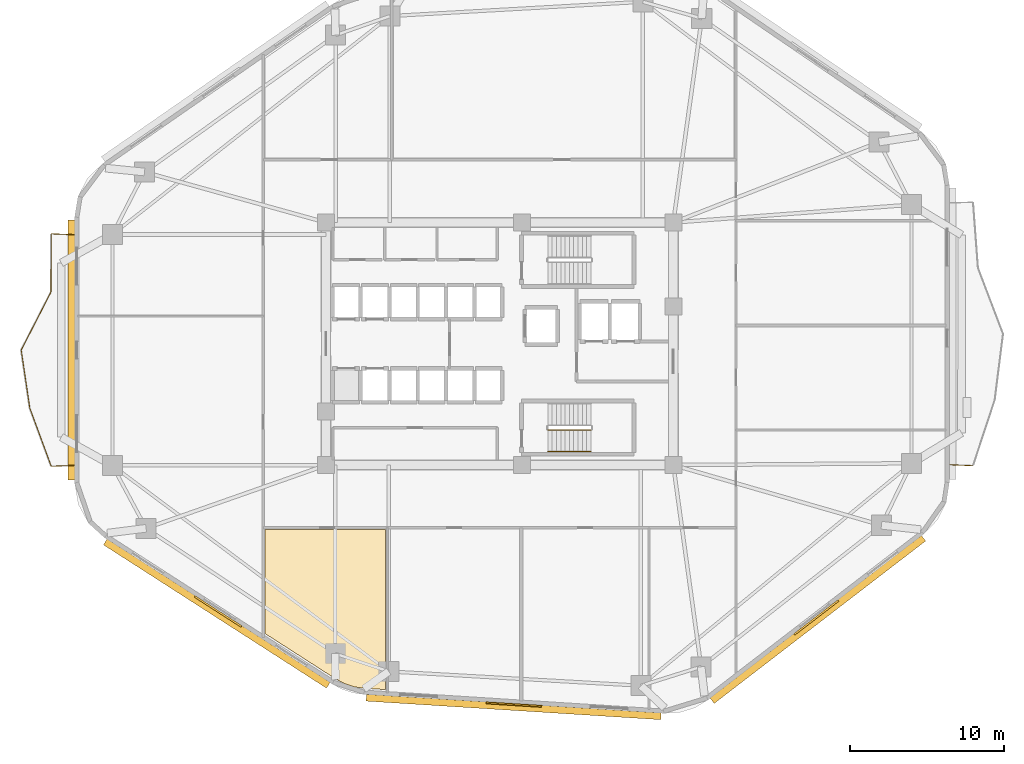
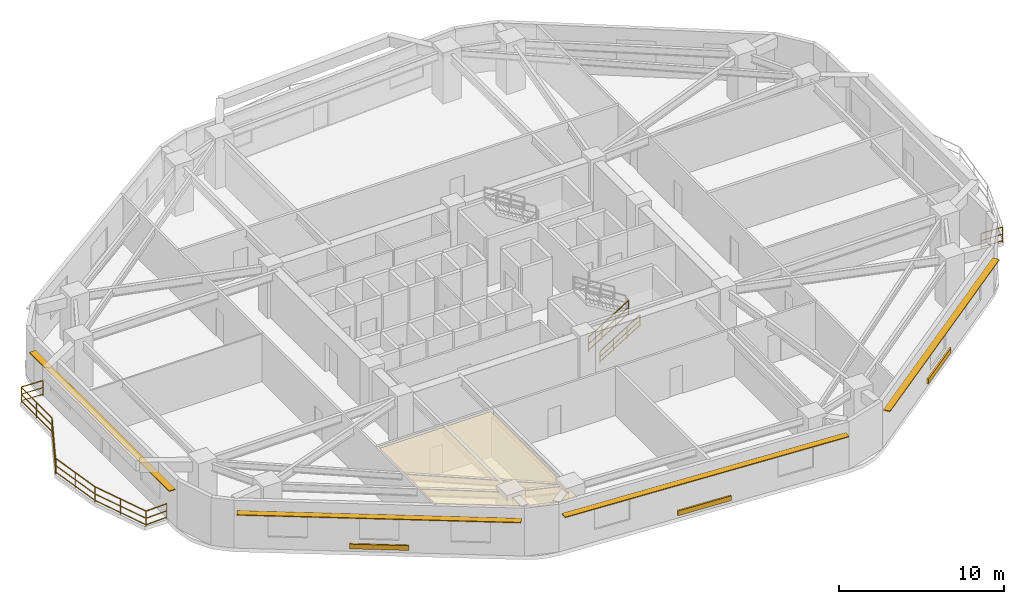
# One storey, part 7 of 10: 9 railings, 7 shading devices, 1 covering.
"""IFC4 building model written with IfcOpenShell, lengths in metres."""

from ifc_helpers import new_model, si_unit, direction, frame, origin, origin_2d, place, context, subcontext, project, spatial, polyline, rectangle, outline, extrude, material, layer, layer_set, type_object, element, save


model = new_model("IFC4")

# Units and contexts
model_context = context("Model", 3, precision=1e-05, world=origin(), true_north=direction((0.0, 1.0)))
body_context = subcontext(model_context, "Body", "Model", "MODEL_VIEW")
ifc_project = project(units=[si_unit("LENGTHUNIT", "METRE"), si_unit("AREAUNIT", "SQUARE_METRE"), si_unit("VOLUMEUNIT", "CUBIC_METRE"), si_unit("PLANEANGLEUNIT", "RADIAN"), si_unit("MASSUNIT", "GRAM", prefix="KILO")], contexts=[model_context])

# Site, building, storey
site_placement = place(None, origin())
site = spatial("IfcSite", under=ifc_project, at=site_placement, CompositionType="ELEMENT")
building_placement = place(site_placement, origin())
building = spatial("IfcBuilding", under=site, at=building_placement, Name="Zulverin Broadcast Headquarters", CompositionType="ELEMENT")
storey_placement = place(building_placement, frame((0.0, 0.0, 66.800048828125)))
storey = spatial("IfcBuildingStorey", under=building, at=storey_placement, Name="L16", CompositionType="ELEMENT", Elevation=66.800048828125)

# Covering
ifc_material_1 = material(Name="Perforated pale-metal acoustic baffle ceiling", Category="aluminium")
ifc_layer_1 = layer(ifc_material_1, 0.0400390625, Name="Perforated pale-metal acoustic baffle ceiling", Category="aluminium")
ifc_layer_set_1 = layer_set([ifc_layer_1], Name="Perforated pale-metal acoustic baffle ceiling")
covering_type = type_object("IfcCoveringType", Name="COV-CEIL-ACOU", PredefinedType="CEILING", material=ifc_layer_set_1)
covering_placement = place(storey_placement, frame((0.0, 0.0, 3.344970703125)))
element("IfcCovering", 1, at=covering_placement, inside=storey, type_object=covering_type, Name="L16 Acoustic Baffle Ceiling 03", PredefinedType="CEILING", context=body_context, shape_type="SweptSolid", body=[
    extrude(outline(polyline([(21.77197265625, 13.132080078125), (21.77197265625, 6.3759765625), (26.347900390625, 3.43603515625), (26.931884765625, 3.1279296875), (27.5439453125, 2.924072265625), (28.19189453125, 2.83203125), (29.580078125, 2.743896484375), (29.580078125, 13.132080078125), (21.77197265625, 13.132080078125)])), origin(), (0.0, 0.0, 1.0), 0.0400390625),
])

# Railings
ifc_material_2 = material(Name="Brushed stainless steel & laminated glass balustrade", Category="steel")
railing_type_1 = type_object("IfcRailingType", Name="RL-GUARD-1150", PredefinedType="GUARDRAIL", material=ifc_material_2)
railing_1_placement = place(storey_placement, frame((66.239990234375, 17.343505859375, 0.0)))
element("IfcRailing", 2, at=railing_1_placement, inside=storey, type_object=railing_type_1, Name="L16 Vertical-Forest Balcony Guardrail BAL_E Segment 01", PredefinedType="GUARDRAIL", context=body_context, shape_type="SweptSolid", body=[
    extrude(rectangle(XDim=0.048095703125, YDim=0.048095703125, at=origin_2d()), frame((0.0, 0.0, 1.1259765625), z_axis=(0.999174410196, -0.040626321628, 0.0), x_axis=(0.040626321628, 0.999174410196, 0.0)), (0.0, 0.0, 1.0), 1.46630859375),
    extrude(rectangle(XDim=0.0419921875, YDim=0.0419921875, at=origin_2d()), frame((0.0, 0.0, 0.597900390625), z_axis=(0.999174410196, -0.040626321628, 0.0), x_axis=(0.040626321628, 0.999174410196, 0.0)), (0.0, 0.0, 1.0), 1.46630859375),
    extrude(rectangle(XDim=0.0419921875, YDim=0.0419921875, at=origin_2d()), frame((0.0, 0.0, 0.1201171875), z_axis=(0.999174410196, -0.040626321628, 0.0), x_axis=(0.040626321628, 0.999174410196, 0.0)), (0.0, 0.0, 1.0), 1.46630859375),
    extrude(rectangle(XDim=0.0419921875, YDim=0.0419921875, at=origin_2d()), origin(), (0.0, 0.0, 1.0), 1.101806640625),
    extrude(rectangle(XDim=0.0419921875, YDim=0.0419921875, at=origin_2d()), frame((1.465087890625, -0.0595703125, 0.0)), (0.0, 0.0, 1.0), 1.101806640625),
])
railing_2_placement = place(storey_placement, frame((9.360107421875, 32.284423828125, 0.0)))
element("IfcRailing", 3, at=railing_2_placement, inside=storey, type_object=railing_type_1, Name="L16 Vertical-Forest Balcony Guardrail BAL_W Segment 01", PredefinedType="GUARDRAIL", context=body_context, shape_type="SweptSolid", body=[
    extrude(rectangle(XDim=0.048095703125, YDim=0.048095703125, at=origin_2d()), frame((0.0, 0.0, 1.1259765625), z_axis=(-0.999181155166, 0.040460093435, 0.0), x_axis=(-0.040460093435, -0.999181155166, 0.0)), (0.0, 0.0, 1.0), 1.46630859375),
    extrude(rectangle(XDim=0.0419921875, YDim=0.0419921875, at=origin_2d()), frame((0.0, 0.0, 0.597900390625), z_axis=(-0.999181155166, 0.040460093435, 0.0), x_axis=(-0.040460093435, -0.999181155166, 0.0)), (0.0, 0.0, 1.0), 1.46630859375),
    extrude(rectangle(XDim=0.0419921875, YDim=0.0419921875, at=origin_2d()), frame((0.0, 0.0, 0.1201171875), z_axis=(-0.999181155166, 0.040460093435, 0.0), x_axis=(-0.040460093435, -0.999181155166, 0.0)), (0.0, 0.0, 1.0), 1.46630859375),
    extrude(rectangle(XDim=0.0419921875, YDim=0.0419921875, at=origin_2d()), origin(), (0.0, 0.0, 1.0), 1.101806640625),
    extrude(rectangle(XDim=0.0419921875, YDim=0.0419921875, at=origin_2d()), frame((-1.465087890625, 0.059326171875, 0.0)), (0.0, 0.0, 1.0), 1.101806640625),
])
railing_3_placement = place(storey_placement, frame((7.8798828125, 32.329345703125, 0.0)))
element("IfcRailing", 4, at=railing_3_placement, inside=storey, type_object=railing_type_1, Name="L16 Vertical-Forest Balcony Guardrail BAL_W Segment 02", PredefinedType="GUARDRAIL", context=body_context, shape_type="SweptSolid", body=[
    extrude(rectangle(XDim=0.048095703125, YDim=0.048095703125, at=origin_2d()), frame((0.0, 0.0, 1.1259765625), z_axis=(-0.003911312976, -0.999992350786, 0.0), x_axis=(0.999992350786, -0.003911312976, 0.0)), (0.0, 0.0, 1.0), 3.7451171875),
    extrude(rectangle(XDim=0.0419921875, YDim=0.0419921875, at=origin_2d()), frame((0.0, 0.0, 0.597900390625), z_axis=(-0.003911312976, -0.999992350786, 0.0), x_axis=(0.999992350786, -0.003911312976, 0.0)), (0.0, 0.0, 1.0), 3.7451171875),
    extrude(rectangle(XDim=0.0419921875, YDim=0.0419921875, at=origin_2d()), frame((0.0, 0.0, 0.1201171875), z_axis=(-0.003911312976, -0.999992350786, 0.0), x_axis=(0.999992350786, -0.003911312976, 0.0)), (0.0, 0.0, 1.0), 3.7451171875),
    extrude(rectangle(XDim=0.0419921875, YDim=0.0419921875, at=origin_2d()), origin(), (0.0, 0.0, 1.0), 1.101806640625),
    extrude(rectangle(XDim=0.0419921875, YDim=0.0419921875, at=origin_2d()), frame((-0.00732421875, -1.87255859375, 0.0)), (0.0, 0.0, 1.0), 1.101806640625),
    extrude(rectangle(XDim=0.0419921875, YDim=0.0419921875, at=origin_2d()), frame((-0.0146484375, -3.7451171875, 0.0)), (0.0, 0.0, 1.0), 1.101806640625),
])
railing_4_placement = place(storey_placement, frame((7.8583984375, 28.555908203125, 0.0)))
element("IfcRailing", 5, at=railing_4_placement, inside=storey, type_object=railing_type_1, Name="L16 Vertical-Forest Balcony Guardrail BAL_W Segment 03", PredefinedType="GUARDRAIL", context=body_context, shape_type="SweptSolid", body=[
    extrude(rectangle(XDim=0.048095703125, YDim=0.048095703125, at=origin_2d()), frame((0.0, 0.0, 1.1259765625), z_axis=(-0.456186033924, -0.889884432077, 0.0), x_axis=(0.889884432077, -0.456186033924, 0.0)), (0.0, 0.0, 1.0), 4.21240234375),
    extrude(rectangle(XDim=0.0419921875, YDim=0.0419921875, at=origin_2d()), frame((0.0, 0.0, 0.597900390625), z_axis=(-0.456186033924, -0.889884432077, 0.0), x_axis=(0.889884432077, -0.456186033924, 0.0)), (0.0, 0.0, 1.0), 4.21240234375),
    extrude(rectangle(XDim=0.0419921875, YDim=0.0419921875, at=origin_2d()), frame((0.0, 0.0, 0.1201171875), z_axis=(-0.456186033924, -0.889884432077, 0.0), x_axis=(0.889884432077, -0.456186033924, 0.0)), (0.0, 0.0, 1.0), 4.21240234375),
    extrude(rectangle(XDim=0.0419921875, YDim=0.0419921875, at=origin_2d()), origin(), (0.0, 0.0, 1.0), 1.101806640625),
    extrude(rectangle(XDim=0.0419921875, YDim=0.0419921875, at=origin_2d()), frame((-0.9609375, -1.874267578125, 0.0)), (0.0, 0.0, 1.0), 1.101806640625),
    extrude(rectangle(XDim=0.0419921875, YDim=0.0419921875, at=origin_2d()), frame((-1.921630859375, -3.74853515625, 0.0)), (0.0, 0.0, 1.0), 1.101806640625),
])
railing_5_placement = place(storey_placement, frame((5.93212890625, 24.779296875, 0.0)))
element("IfcRailing", 6, at=railing_5_placement, inside=storey, type_object=railing_type_1, Name="L16 Vertical-Forest Balcony Guardrail BAL_W Segment 04", PredefinedType="GUARDRAIL", context=body_context, shape_type="SweptSolid", body=[
    extrude(rectangle(XDim=0.048095703125, YDim=0.048095703125, at=origin_2d()), frame((0.0, 0.0, 1.1259765625), z_axis=(0.146429483954, -0.989221110889, 0.0), x_axis=(0.989221110889, 0.146429483954, 0.0)), (0.0, 0.0, 1.0), 3.786376953125),
    extrude(rectangle(XDim=0.0419921875, YDim=0.0419921875, at=origin_2d()), frame((0.0, 0.0, 0.597900390625), z_axis=(0.146429483954, -0.989221110889, 0.0), x_axis=(0.989221110889, 0.146429483954, 0.0)), (0.0, 0.0, 1.0), 3.786376953125),
    extrude(rectangle(XDim=0.0419921875, YDim=0.0419921875, at=origin_2d()), frame((0.0, 0.0, 0.1201171875), z_axis=(0.146429483954, -0.989221110889, 0.0), x_axis=(0.989221110889, 0.146429483954, 0.0)), (0.0, 0.0, 1.0), 3.786376953125),
    extrude(rectangle(XDim=0.0419921875, YDim=0.0419921875, at=origin_2d()), origin(), (0.0, 0.0, 1.0), 1.101806640625),
    extrude(rectangle(XDim=0.0419921875, YDim=0.0419921875, at=origin_2d()), frame((0.27734375, -1.872802734375, 0.0)), (0.0, 0.0, 1.0), 1.101806640625),
    extrude(rectangle(XDim=0.0419921875, YDim=0.0419921875, at=origin_2d()), frame((0.554443359375, -3.74560546875, 0.0)), (0.0, 0.0, 1.0), 1.101806640625),
])
railing_6_placement = place(storey_placement, frame((6.493896484375, 21.004638671875, 0.0)))
element("IfcRailing", 7, at=railing_6_placement, inside=storey, type_object=railing_type_1, Name="L16 Vertical-Forest Balcony Guardrail BAL_W Segment 05", PredefinedType="GUARDRAIL", context=body_context, shape_type="SweptSolid", body=[
    extrude(rectangle(XDim=0.048095703125, YDim=0.048095703125, at=origin_2d()), frame((0.0, 0.0, 1.1259765625), z_axis=(0.345804522043, -0.93830657705, 0.0), x_axis=(0.93830657705, 0.345804522043, 0.0)), (0.0, 0.0, 1.0), 3.9931640625),
    extrude(rectangle(XDim=0.0419921875, YDim=0.0419921875, at=origin_2d()), frame((0.0, 0.0, 0.597900390625), z_axis=(0.345804522043, -0.93830657705, 0.0), x_axis=(0.93830657705, 0.345804522043, 0.0)), (0.0, 0.0, 1.0), 3.9931640625),
    extrude(rectangle(XDim=0.0419921875, YDim=0.0419921875, at=origin_2d()), frame((0.0, 0.0, 0.1201171875), z_axis=(0.345804522043, -0.93830657705, 0.0), x_axis=(0.93830657705, 0.345804522043, 0.0)), (0.0, 0.0, 1.0), 3.9931640625),
    extrude(rectangle(XDim=0.0419921875, YDim=0.0419921875, at=origin_2d()), origin(), (0.0, 0.0, 1.0), 1.101806640625),
    extrude(rectangle(XDim=0.0419921875, YDim=0.0419921875, at=origin_2d()), frame((0.6904296875, -1.87353515625, 0.0)), (0.0, 0.0, 1.0), 1.101806640625),
    extrude(rectangle(XDim=0.0419921875, YDim=0.0419921875, at=origin_2d()), frame((1.380859375, -3.746826171875, 0.0)), (0.0, 0.0, 1.0), 1.101806640625),
])
railing_7_placement = place(storey_placement, frame((7.89501953125, 17.244140625, 0.0)))
element("IfcRailing", 8, at=railing_7_placement, inside=storey, type_object=railing_type_1, Name="L16 Vertical-Forest Balcony Guardrail BAL_W Segment 06", PredefinedType="GUARDRAIL", context=body_context, shape_type="SweptSolid", body=[
    extrude(rectangle(XDim=0.048095703125, YDim=0.048095703125, at=origin_2d()), frame((0.0, 0.0, 1.1259765625), z_axis=(0.999174410196, 0.040626321628, 0.0), x_axis=(-0.040626321628, 0.999174410196, 0.0)), (0.0, 0.0, 1.0), 1.46630859375),
    extrude(rectangle(XDim=0.0419921875, YDim=0.0419921875, at=origin_2d()), frame((0.0, 0.0, 0.597900390625), z_axis=(0.999174410196, 0.040626321628, 0.0), x_axis=(-0.040626321628, 0.999174410196, 0.0)), (0.0, 0.0, 1.0), 1.46630859375),
    extrude(rectangle(XDim=0.0419921875, YDim=0.0419921875, at=origin_2d()), frame((0.0, 0.0, 0.1201171875), z_axis=(0.999174410196, 0.040626321628, 0.0), x_axis=(-0.040626321628, 0.999174410196, 0.0)), (0.0, 0.0, 1.0), 1.46630859375),
    extrude(rectangle(XDim=0.0419921875, YDim=0.0419921875, at=origin_2d()), origin(), (0.0, 0.0, 1.0), 1.101806640625),
    extrude(rectangle(XDim=0.0419921875, YDim=0.0419921875, at=origin_2d()), frame((1.465087890625, 0.0595703125, 0.0)), (0.0, 0.0, 1.0), 1.101806640625),
])
ifc_material_3 = material(Name="Painted galvanized steel tubular guardrail S355JR", Category="steel")
railing_type_2 = type_object("IfcRailingType", Name="RL-ST-GUARD", PredefinedType="GUARDRAIL", material=ifc_material_3)
railing_8_placement = place(storey_placement, frame((40.1298828125, 19.60009765625, 0.172607421875)))
element("IfcRailing", 9, at=railing_8_placement, inside=storey, type_object=railing_type_2, Name="L16 ST-2 stair guard 1", PredefinedType="GUARDRAIL", context=body_context, shape_type="SweptSolid", body=[
    extrude(rectangle(XDim=0.048095703125, YDim=0.048095703125, at=origin_2d()), frame((0.0, 0.0, 1.076171875), z_axis=(0.851089632645, 0.0, 0.525020415988), x_axis=(0.0, 1.0, 0.0)), (0.0, 0.0, 1.0), 3.2900390625),
    extrude(rectangle(XDim=0.0419921875, YDim=0.0419921875, at=origin_2d()), frame((0.0, 0.0, 0.572021484375), z_axis=(0.851089632645, 0.0, 0.525020415988), x_axis=(0.0, 1.0, 0.0)), (0.0, 0.0, 1.0), 3.2900390625),
    extrude(rectangle(XDim=0.0419921875, YDim=0.0419921875, at=origin_2d()), frame((0.0, 0.0, 0.1201171875), z_axis=(0.851089632645, 0.0, 0.525020415988), x_axis=(0.0, 1.0, 0.0)), (0.0, 0.0, 1.0), 3.2900390625),
    extrude(rectangle(XDim=0.0419921875, YDim=0.0419921875, at=origin_2d()), origin(), (0.0, 0.0, 1.0), 1.052001953125),
    extrude(rectangle(XDim=0.0419921875, YDim=0.0419921875, at=origin_2d()), frame((0.933349609375, 0.0, 0.57568359375)), (0.0, 0.0, 1.0), 1.052001953125),
    extrude(rectangle(XDim=0.0419921875, YDim=0.0419921875, at=origin_2d()), frame((1.86669921875, 0.0, 1.151611328125)), (0.0, 0.0, 1.0), 1.052001953125),
    extrude(rectangle(XDim=0.0419921875, YDim=0.0419921875, at=origin_2d()), frame((2.800048828125, 0.0, 1.727294921875)), (0.0, 0.0, 1.0), 1.052001953125),
])
ifc_material_4 = material(Name="Brushed stainless steel 48 mm handrail", Category="steel")
railing_type_3 = type_object("IfcRailingType", Name="RL-ST-HAND", PredefinedType="HANDRAIL", material=ifc_material_4)
railing_9_placement = place(storey_placement, frame((40.1298828125, 18.199951171875, 0.172607421875)))
element("IfcRailing", 10, at=railing_9_placement, inside=storey, type_object=railing_type_3, Name="L16 ST-2 stair handrail 1", PredefinedType="HANDRAIL", context=body_context, shape_type="SweptSolid", body=[
    extrude(rectangle(XDim=0.048095703125, YDim=0.048095703125, at=origin_2d()), frame((0.0, 0.0, 0.8759765625), z_axis=(0.851089632645, 0.0, 0.525020415988), x_axis=(0.0, 1.0, 0.0)), (0.0, 0.0, 1.0), 3.2900390625),
    extrude(rectangle(XDim=0.0419921875, YDim=0.0419921875, at=origin_2d()), frame((0.0, 0.0, 0.468017578125), z_axis=(0.851089632645, 0.0, 0.525020415988), x_axis=(0.0, 1.0, 0.0)), (0.0, 0.0, 1.0), 3.2900390625),
    extrude(rectangle(XDim=0.0419921875, YDim=0.0419921875, at=origin_2d()), frame((0.0, 0.0, 0.1201171875), z_axis=(0.851089632645, 0.0, 0.525020415988), x_axis=(0.0, 1.0, 0.0)), (0.0, 0.0, 1.0), 3.2900390625),
    extrude(rectangle(XDim=0.0419921875, YDim=0.0419921875, at=origin_2d()), origin(), (0.0, 0.0, 1.0), 0.851806640625),
    extrude(rectangle(XDim=0.0419921875, YDim=0.0419921875, at=origin_2d()), frame((0.933349609375, 0.0, 0.57568359375)), (0.0, 0.0, 1.0), 0.851806640625),
    extrude(rectangle(XDim=0.0419921875, YDim=0.0419921875, at=origin_2d()), frame((1.86669921875, 0.0, 1.151611328125)), (0.0, 0.0, 1.0), 0.851806640625),
    extrude(rectangle(XDim=0.0419921875, YDim=0.0419921875, at=origin_2d()), frame((2.800048828125, 0.0, 1.727294921875)), (0.0, 0.0, 1.0), 0.851806640625),
])

# Shading devices
ifc_material_5 = material(Name="Anodized pale-metal aluminium acoustic louvre", Category="aluminium")
shading_device_type_1 = type_object("IfcShadingDeviceType", Name="SHD-LOUVRE-350", PredefinedType="USERDEFINED", material=ifc_material_5)
for number, where, z_axis, x_axis, name in (
    (11, (37.9189453125, 1.775390625, 0.244873046875), (0.0, 0.0, 1.0), (0.998017182581, -0.062942062821, 0.0), "L16 Spandrel Intake Louvre 1"),
    (12, (57.56103515625, 7.425048828125, 0.244873046875), (0.0, 0.0, 1.0), (0.792933468586, 0.609308226102, 0.0), "L16 Spandrel Intake Louvre 2"),
    (13, (18.71630859375, 7.816162109375, 0.244873046875), (0.0, 0.0, 1.0), (0.841296678234, -0.540573676007, 0.0), "L16 Spandrel Intake Louvre 8"),
):
    element("IfcShadingDevice", number, at=place(storey_placement, frame(where, z_axis=z_axis, x_axis=x_axis)), inside=storey, type_object=shading_device_type_1, Name=name, ObjectType="LOUVRE", PredefinedType="USERDEFINED", context=body_context, shape_type="SweptSolid", body=[
        extrude(rectangle(XDim=3.60009765625, YDim=0.1201171875, at=origin_2d()), origin(), (0.0, 0.0, 1.0), 0.35009765625),
    ])
ifc_material_6 = material(Name="Anodized pale-metal aluminium sunshade", Category="aluminium")
ifc_layer_2 = layer(ifc_material_6, 0.06005859375, Name="Anodized pale-metal aluminium sunshade", Category="aluminium")
ifc_layer_set_2 = layer_set([ifc_layer_2], Name="Anodized pale-metal aluminium sunshade")
shading_device_type_2 = type_object("IfcShadingDeviceType", Name="SS-01_PALE_METAL_ALUMINIUM_SUNSHADE", PredefinedType="USERDEFINED", material=ifc_layer_set_2)
shading_device_1_placement = place(storey_placement, frame((37.908935546875, 1.61572265625, 2.7099609375), z_axis=(0.0, 0.0, 1.0), x_axis=(0.998017182581, -0.062942062821, 0.0)))
element("IfcShadingDevice", 14, at=shading_device_1_placement, inside=storey, type_object=shading_device_type_2, Name="L16 Horizontal Pale-Metal Sunshade Band 1", ObjectType="SUNSHADE", PredefinedType="USERDEFINED", context=body_context, shape_type="SweptSolid", body=[
    extrude(rectangle(XDim=19.177001953125, YDim=0.449951171875, at=origin_2d()), origin(), (0.0, 0.0, 1.0), 0.06005859375),
])
shading_device_2_placement = place(storey_placement, frame((57.658447265625, 7.29833984375, 2.7099609375), z_axis=(0.0, 0.0, 1.0), x_axis=(0.792933468586, 0.609308226102, 0.0)))
element("IfcShadingDevice", 15, at=shading_device_2_placement, inside=storey, type_object=shading_device_type_2, Name="L16 Horizontal Pale-Metal Sunshade Band 2", ObjectType="SUNSHADE", PredefinedType="USERDEFINED", context=body_context, shape_type="SweptSolid", body=[
    extrude(rectangle(XDim=17.312744140625, YDim=0.449951171875, at=origin_2d()), origin(), (0.0, 0.0, 1.0), 0.06005859375),
])
shading_device_3_placement = place(storey_placement, frame((9.199951171875, 24.7939453125, 2.7099609375), z_axis=(0.0, 0.0, 1.0), x_axis=(0.0, -1.0, 0.0)))
element("IfcShadingDevice", 16, at=shading_device_3_placement, inside=storey, type_object=shading_device_type_2, Name="L16 Horizontal Pale-Metal Sunshade Band 7", ObjectType="SUNSHADE", PredefinedType="USERDEFINED", context=body_context, shape_type="SweptSolid", body=[
    extrude(rectangle(XDim=16.90087890625, YDim=0.449951171875, at=origin_2d()), origin(), (0.0, 0.0, 1.0), 0.06005859375),
])
shading_device_4_placement = place(storey_placement, frame((18.6298828125, 7.681640625, 2.7099609375), z_axis=(0.0, 0.0, 1.0), x_axis=(0.841296678234, -0.540573676007, 0.0)))
element("IfcShadingDevice", 17, at=shading_device_4_placement, inside=storey, type_object=shading_device_type_2, Name="L16 Horizontal Pale-Metal Sunshade Band 8", ObjectType="SUNSHADE", PredefinedType="USERDEFINED", context=body_context, shape_type="SweptSolid", body=[
    extrude(rectangle(XDim=17.2119140625, YDim=0.449951171875, at=origin_2d()), origin(), (0.0, 0.0, 1.0), 0.06005859375),
])

save(model, "model.ifc")
